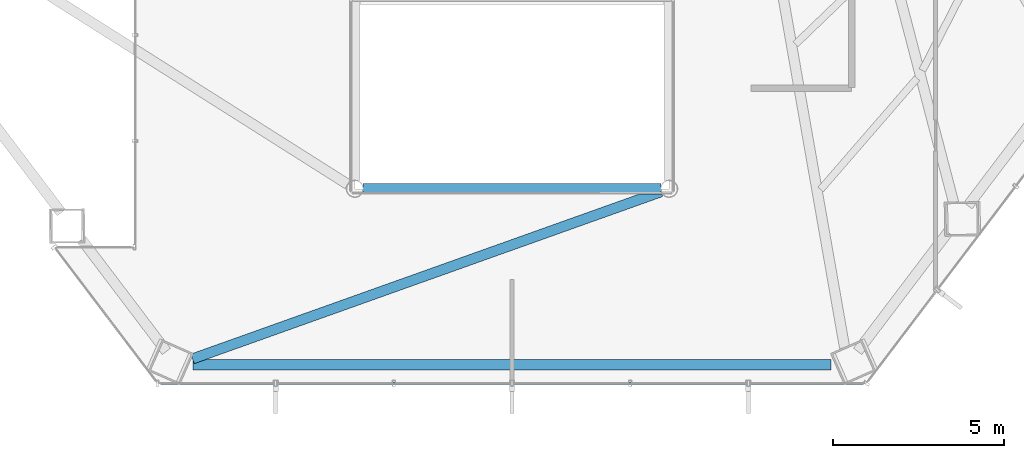
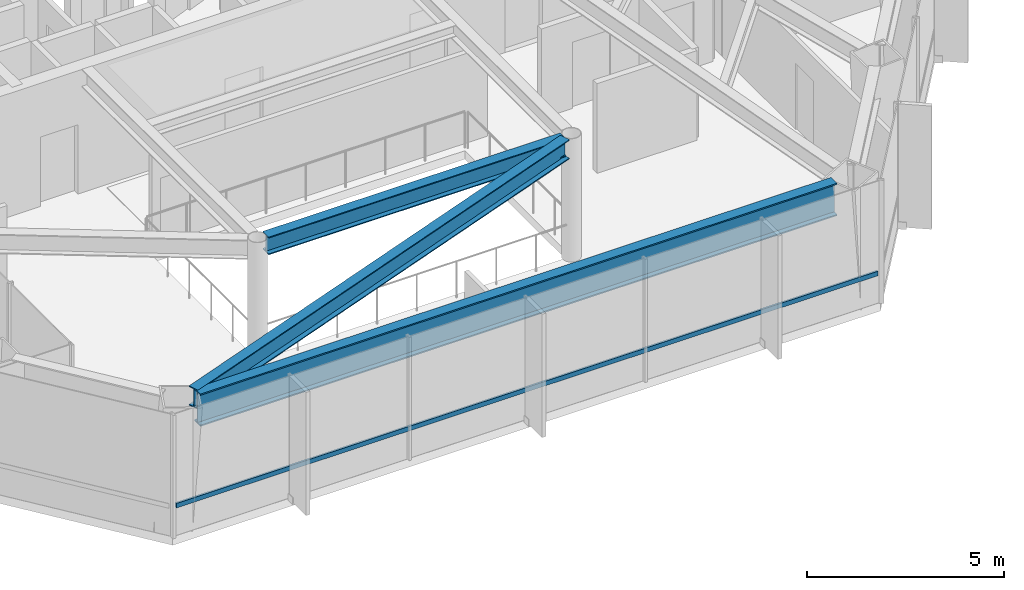
# One storey, part 7 of 24: 3 beams, 1 member, 1 element without a shape of its own.
"""IFC4 building model written with IfcOpenShell, lengths in metres."""

from ifc_helpers import new_model, si_unit, direction, frame, origin, origin_2d, place, context, subcontext, project, spatial, hollow_rectangle, i_section, extrude, material, layer, layer_set, material_profile, profile_set, type_object, element, aggregate, save


model = new_model("IFC4")

# Units and contexts
model_context = context("Model", 3, precision=1e-05, world=origin(), true_north=direction((0.0, 1.0)))
body_context = subcontext(model_context, "Body", "Model", "MODEL_VIEW")
ifc_project = project(units=[si_unit("LENGTHUNIT", "METRE"), si_unit("AREAUNIT", "SQUARE_METRE"), si_unit("VOLUMEUNIT", "CUBIC_METRE"), si_unit("PLANEANGLEUNIT", "RADIAN"), si_unit("MASSUNIT", "GRAM", prefix="KILO")], contexts=[model_context])

# Site, building, storey
site_placement = place(None, origin())
site = spatial("IfcSite", under=ifc_project, at=site_placement, CompositionType="ELEMENT")
building_placement = place(site_placement, origin())
building = spatial("IfcBuilding", under=site, at=building_placement, Name="Zarrinselat Tower", CompositionType="ELEMENT")
storey_placement = place(building_placement, frame((0.0, 0.0, 68.340087890625)))
storey = spatial("IfcBuildingStorey", under=building, at=storey_placement, Name="L16", CompositionType="ELEMENT", Elevation=68.340087890625)

# Beams
ifc_material_1 = material(Name="Steel S355J2", Category="steel")
ifc_material_profile_1 = material_profile(ifc_material_1, i_section(OverallWidth=0.300048828125, OverallDepth=0.550048828125, WebThickness=0.014892578125, FlangeThickness=0.029052734375, at=origin_2d()), Name="HEB 550")
ifc_profile_set_1 = profile_set([ifc_material_profile_1], Name="Steel S355J2")
beam_type_1 = type_object("IfcBeamType", Name="BM-HEB550", PredefinedType="BEAM", material=ifc_profile_set_1)
beam_1_placement = place(storey_placement, frame((34.0400390625, 24.39990234375, 3.544921875), z_axis=(1.0, 0.0, 0.0), x_axis=(0.0, 1.0, 0.0)))
element("IfcBeam", 1, at=beam_1_placement, inside=storey, type_object=beam_type_1, Name="L16 Atrium Edge Beam S", PredefinedType="BEAM", context=body_context, shape_type="SweptSolid", body=[
    extrude(i_section(OverallWidth=0.300048828125, OverallDepth=0.550048828125, WebThickness=0.014892578125, FlangeThickness=0.029052734375, at=origin_2d()), origin(), (0.0, 0.0, 1.0), 8.719970703125),
])
ifc_material_2 = material(Name="Steel S355J2", Category="steel")
ifc_material_profile_2 = material_profile(ifc_material_2, i_section(OverallWidth=0.300048828125, OverallDepth=0.60009765625, WebThickness=0.015380859375, FlangeThickness=0.030029296875, at=origin_2d()), Name="HEB 600")
ifc_profile_set_2 = profile_set([ifc_material_profile_2], Name="Steel S355J2")
beam_type_2 = type_object("IfcBeamType", Name="BM-HEB600", PredefinedType="BEAM", material=ifc_profile_set_2)
beam_2_placement = place(storey_placement, frame((29.050537109375, 19.423583984375, 3.52001953125), z_axis=(0.941860969683, 0.336002847886, 0.0), x_axis=(-0.336002847886, 0.941860969683, 0.0)))
element("IfcBeam", 2, at=beam_2_placement, inside=storey, type_object=beam_type_2, Name="L16 Radial Primary Girder RG10", PredefinedType="BEAM", context=body_context, shape_type="SweptSolid", body=[
    extrude(i_section(OverallWidth=0.300048828125, OverallDepth=0.60009765625, WebThickness=0.015380859375, FlangeThickness=0.030029296875, at=origin_2d()), origin(), (0.0, 0.0, 1.0), 14.560302734375),
])
ifc_material_3 = material(Name="Steel S460M", Category="steel")
ifc_material_profile_3 = material_profile(ifc_material_3, i_section(OverallWidth=0.302001953125, OverallDepth=1.008056640625, WebThickness=0.02099609375, FlangeThickness=0.0400390625, at=origin_2d()), Name="HEM 1000")
ifc_profile_set_3 = profile_set([ifc_material_profile_3], Name="Steel S460M")
beam_type_3 = type_object("IfcBeamType", Name="BM-HEM1000", PredefinedType="BEAM", material=ifc_profile_set_3)
beam_3_placement = place(storey_placement, frame((29.06591796875, 19.2548828125, 3.31591796875), z_axis=(1.0, 0.0, 0.0), x_axis=(0.0, 1.0, 0.0)))
element("IfcBeam", 3, at=beam_3_placement, inside=storey, type_object=beam_type_3, Name="L16 Perimeter Spandrel Girder SP10", PredefinedType="BEAM", context=body_context, shape_type="SweptSolid", body=[
    extrude(i_section(OverallWidth=0.302001953125, OverallDepth=1.008056640625, WebThickness=0.02099609375, FlangeThickness=0.0400390625, at=origin_2d()), origin(), (0.0, 0.0, 1.0), 18.668212890625),
])

# Curtain wall, member
ifc_material_4 = material(Name="Extruded Aluminium Alloy EN AW-6063 T6", Category="aluminium")
ifc_layer = layer(ifc_material_4, 0.18505859375)
ifc_layer_set = layer_set([ifc_layer], Name="Extruded Aluminium Alloy EN AW-6063 T6")
curtain_wall_type = type_object("IfcCurtainWallType", Name="CWS-OFF", PredefinedType="NOTDEFINED", material=ifc_layer_set)
curtain_wall_placement = place(storey_placement, origin())
curtain_wall = element("IfcCurtainWall", 4, at=curtain_wall_placement, inside=storey, type_object=curtain_wall_type, Name="L16 Unitised Curtain Wall CW-L16-E05", PredefinedType="NOTDEFINED")
ifc_material_5 = material(Name="Extruded Aluminium Alloy EN AW-6063 T6", Category="aluminium")
ifc_material_profile_4 = material_profile(ifc_material_5, hollow_rectangle(XDim=0.06005859375, YDim=0.139892578125, WallThickness=0.00390625, at=origin_2d()), Name="RHS 140x60x4")
ifc_profile_set_4 = profile_set([ifc_material_profile_4], Name="Extruded Aluminium Alloy EN AW-6063 T6")
member_type = type_object("IfcMemberType", Name="MEM-CW-TRN", PredefinedType="USERDEFINED", material=ifc_profile_set_4)
member_placement = place(storey_placement, frame((48.685302734375, 18.70654296875, 0.949951171875), z_axis=(-1.0, 0.0, 0.0), x_axis=(0.0, -1.0, 0.0)))
member = element("IfcMember", 5, at=member_placement, type_object=member_type, Name="CW-L16-E05 Transom 1", ObjectType="TRANSOM", PredefinedType="USERDEFINED", context=body_context, shape_type="SweptSolid", body=[
    extrude(hollow_rectangle(XDim=0.06005859375, YDim=0.139892578125, WallThickness=0.00390625, at=origin_2d()), origin(), (0.0, 0.0, 1.0), 20.570556640625),
])
aggregate(curtain_wall, [member])

save(model, "model.ifc")
